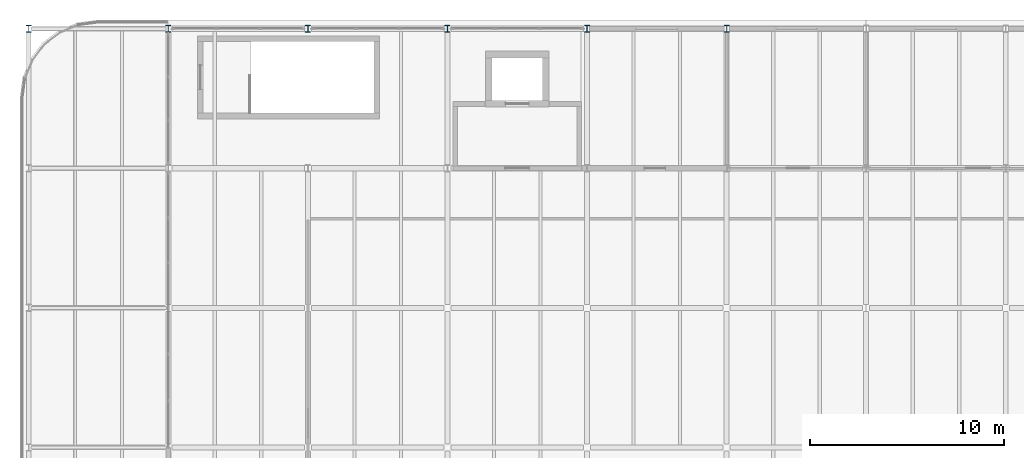
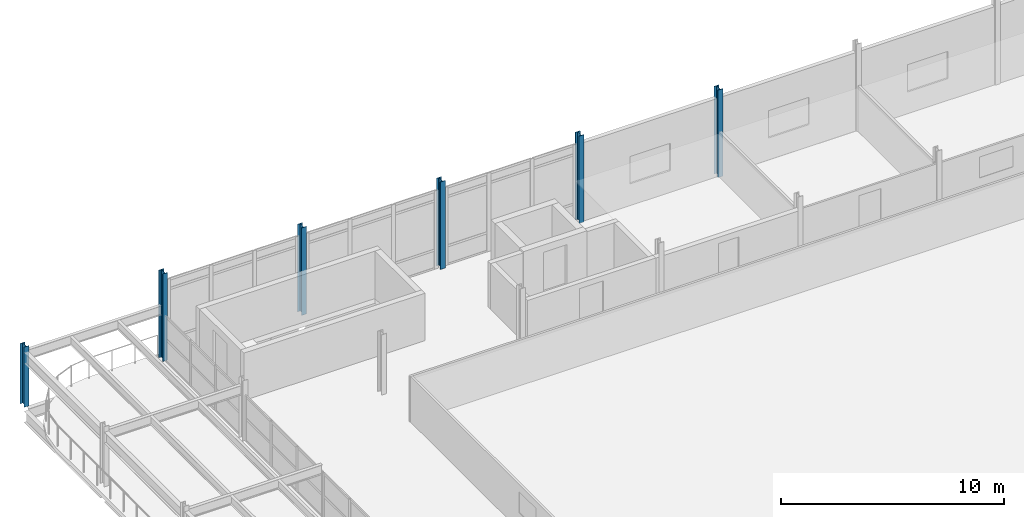
# One storey, part 3 of 25: 6 columns.
"""IFC4 building model written with IfcOpenShell, lengths in metres."""

from ifc_helpers import new_model, si_unit, direction, frame, origin, origin_2d, place, context, subcontext, project, spatial, i_section, extrude, material, material_profile, profile_set, type_object, element, save


model = new_model("IFC4")

# Units and contexts
model_context = context("Model", 3, precision=1e-05, world=origin(), true_north=direction((0.0, 1.0)))
body_context = subcontext(model_context, "Body", "Model", "MODEL_VIEW")
ifc_project = project(units=[si_unit("LENGTHUNIT", "METRE"), si_unit("AREAUNIT", "SQUARE_METRE"), si_unit("VOLUMEUNIT", "CUBIC_METRE"), si_unit("PLANEANGLEUNIT", "RADIAN"), si_unit("MASSUNIT", "GRAM", prefix="KILO")], contexts=[model_context])

# Site, building, storey
site_placement = place(None, origin())
site = spatial("IfcSite", under=ifc_project, at=site_placement, CompositionType="ELEMENT")
building_placement = place(site_placement, origin())
building = spatial("IfcBuilding", under=site, at=building_placement, Name="Vaelcorin Mobility Hub", CompositionType="ELEMENT")
storey_placement = place(building_placement, frame((0.0, 0.0, 21.0)))
storey = spatial("IfcBuildingStorey", under=building, at=storey_placement, Name="L05", CompositionType="ELEMENT", Elevation=21.0)

# Columns
ifc_material = material(Name="Steel ASTM A992 Grade 50", Category="steel")
ifc_material_profile_1 = material_profile(ifc_material, i_section(OverallWidth=0.25390625, OverallDepth=0.35595703125, WebThickness=0.010498046875, FlangeThickness=0.018310546875, FilletRadius=0.014892578125, at=origin_2d()), Name="W14X68")
ifc_profile_set_1 = profile_set([ifc_material_profile_1], Name="Steel ASTM A992 Grade 50")
column_type_1 = type_object("IfcColumnType", Name="COL-W14X68", PredefinedType="COLUMN", material=ifc_profile_set_1)
column_placement = place(storey_placement, frame((36.0, 120.0, 0.0), z_axis=(0.0, 0.0, 1.0), x_axis=(1.0, 0.0, 0.0)))
element("IfcColumn", 1, at=column_placement, inside=storey, type_object=column_type_1, Name="Column V4-X01Y07 L05", PredefinedType="COLUMN", context=body_context, shape_type="SweptSolid", body=[
    extrude(i_section(OverallWidth=0.25390625, OverallDepth=0.35595703125, WebThickness=0.010498046875, FlangeThickness=0.018310546875, FilletRadius=0.014892578125, at=origin_2d()), origin(), (0.0, 0.0, 1.0), 3.300048828125),
])
ifc_material_profile_2 = material_profile(ifc_material, i_section(OverallWidth=0.257080078125, OverallDepth=0.363037109375, WebThickness=0.012939453125, FlangeThickness=0.021728515625, FilletRadius=0.014892578125, at=origin_2d()), Name="W14X82")
ifc_profile_set_2 = profile_set([ifc_material_profile_2], Name="Steel ASTM A992 Grade 50")
column_type_2 = type_object("IfcColumnType", Name="COL-W14X82", PredefinedType="COLUMN", material=ifc_profile_set_2)
for number, where, z_axis, x_axis, name in (
    (2, (43.199951171875, 120.0, 0.0), (0.0, 0.0, 1.0), (1.0, 0.0, 0.0), "Column V4-X02Y07 L05"),
    (3, (50.39990234375, 120.0, 0.0), (0.0, 0.0, 1.0), (1.0, 0.0, 0.0), "Column V4-X03Y07 L05"),
    (4, (57.60009765625, 120.0, 0.0), (0.0, 0.0, 1.0), (1.0, 0.0, 0.0), "Column V4-X04Y07 L05"),
    (5, (64.800048828125, 120.0, 0.0), (0.0, 0.0, 1.0), (1.0, 0.0, 0.0), "Column V4-X05Y07 L05"),
    (6, (72.0, 120.0, 0.0), (0.0, 0.0, 1.0), (1.0, 0.0, 0.0), "Column V4-X06Y07 L05"),
):
    element("IfcColumn", number, at=place(storey_placement, frame(where, z_axis=z_axis, x_axis=x_axis)), inside=storey, type_object=column_type_2, Name=name, PredefinedType="COLUMN", context=body_context, shape_type="SweptSolid", body=[
        extrude(i_section(OverallWidth=0.257080078125, OverallDepth=0.363037109375, WebThickness=0.012939453125, FlangeThickness=0.021728515625, FilletRadius=0.014892578125, at=origin_2d()), origin(), (0.0, 0.0, 1.0), 4.800048828125),
    ])

save(model, "model.ifc")
